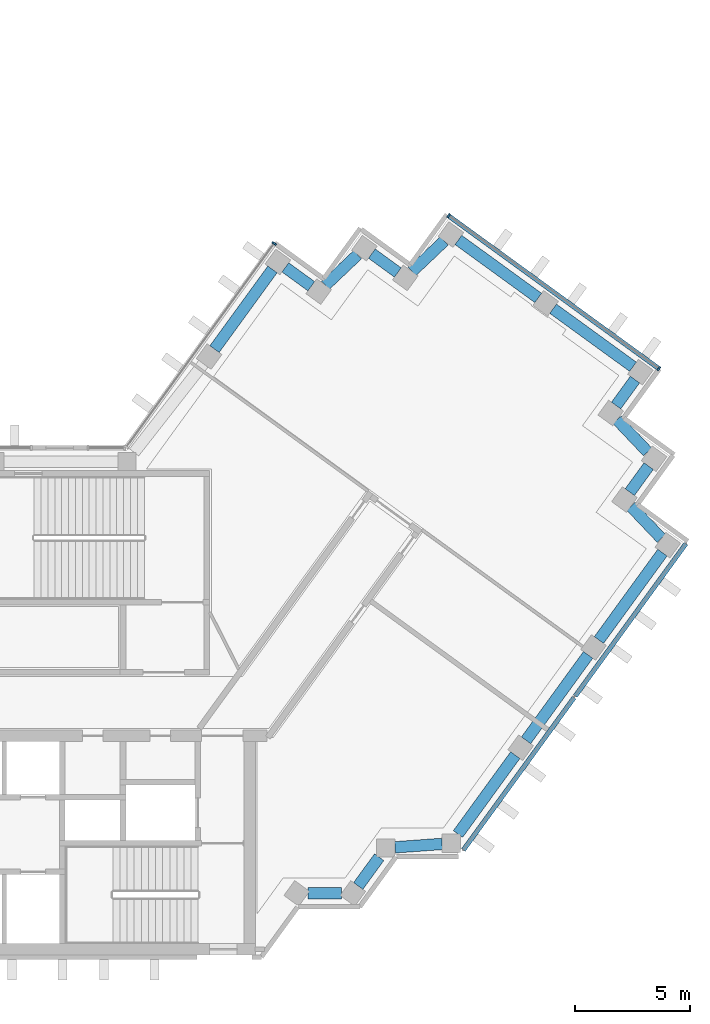
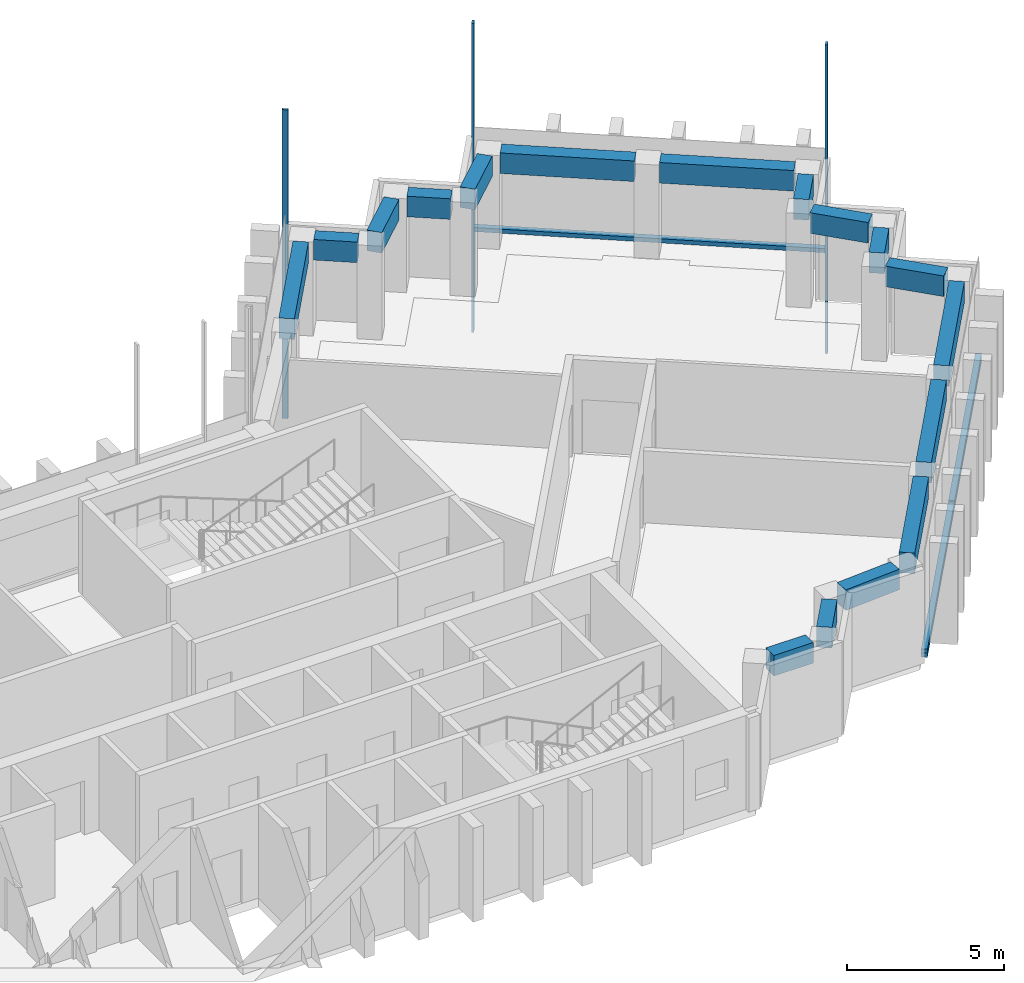
"""IFC4 building model written with IfcOpenShell, lengths in metres."""

from ifc_helpers import new_model, si_unit, direction, frame, origin, origin_2d, place, context, subcontext, project, spatial, rectangle, extrude, material, material_profile, profile_set, type_object, element, aggregate, save


model = new_model("IFC4")

# Units and contexts
model_context = context("Model", 3, precision=1e-05, world=origin(), true_north=direction((0.0, 1.0)))
body_context = subcontext(model_context, "Body", "Model", "MODEL_VIEW")
ifc_project = project(units=[si_unit("LENGTHUNIT", "METRE"), si_unit("AREAUNIT", "SQUARE_METRE"), si_unit("VOLUMEUNIT", "CUBIC_METRE"), si_unit("PLANEANGLEUNIT", "RADIAN"), si_unit("MASSUNIT", "GRAM", prefix="KILO")], contexts=[model_context])

# Site, building, storey
site_placement = place(None, origin())
site = spatial("IfcSite", under=ifc_project, at=site_placement, CompositionType="ELEMENT")
building_placement = place(site_placement, origin())
building = spatial("IfcBuilding", under=site, at=building_placement, Name="Quipu Civic Tower", CompositionType="ELEMENT")
storey_1_placement = place(building_placement, frame((0.0, 0.0, 234.0)))
storey_1 = spatial("IfcBuildingStorey", under=building, at=storey_1_placement, Name="L55", CompositionType="ELEMENT", Elevation=234.0)

# Curtain wall, members
ifc_material_1 = material(Name="Insulated glass unit", Category="glass")
curtain_wall_type = type_object("IfcCurtainWallType", Name="Office curtain wall CW1", PredefinedType="NOTDEFINED", material=ifc_material_1)
curtain_wall_1_placement = place(storey_1_placement, origin())
curtain_wall_1 = element("IfcCurtainWall", 1, at=curtain_wall_1_placement, inside=storey_1, type_object=curtain_wall_type, Name="Office curtain wall CW1 L54 run 21", PredefinedType="NOTDEFINED")
ifc_material_2 = material(Name="Anodised aluminium", Category="aluminium")
ifc_material_profile_1 = material_profile(ifc_material_2, rectangle(XDim=0.199951171875, YDim=0.080078125, at=origin_2d()), Name="RECT 200x80")
ifc_profile_set_1 = profile_set([ifc_material_profile_1], Name="Anodised aluminium")
member_type_1 = type_object("IfcMemberType", Name="Mullion CW1", PredefinedType="MULLION", material=ifc_profile_set_1)
member_1_placement = place(storey_1_placement, frame((37.569091796875, 14.552490234375, -3.919921875), z_axis=(0.0, 0.0, 1.0), x_axis=(-0.587787753918, -0.809015176832, 0.0)))
member_1 = element("IfcMember", 2, at=member_1_placement, type_object=member_type_1, Name="CW1 mullion 1", PredefinedType="MULLION", context=body_context, shape_type="SweptSolid", body=[
    extrude(rectangle(XDim=0.199951171875, YDim=0.080078125, at=origin_2d()), origin(), (0.0, 0.0, 1.0), 12.0),
])
member_2_placement = place(storey_1_placement, frame((28.4111328125, 21.206298828125, -3.919921875), z_axis=(0.0, 0.0, 1.0), x_axis=(-0.587787753918, -0.809015176832, 0.0)))
member_2 = element("IfcMember", 3, at=member_2_placement, type_object=member_type_1, Name="CW1 mullion 2", PredefinedType="MULLION", context=body_context, shape_type="SweptSolid", body=[
    extrude(rectangle(XDim=0.199951171875, YDim=0.080078125, at=origin_2d()), origin(), (0.0, 0.0, 1.0), 12.0),
])

# Curtain wall, member
curtain_wall_2_placement = place(storey_1_placement, origin())
curtain_wall_2 = element("IfcCurtainWall", 4, at=curtain_wall_2_placement, inside=storey_1, type_object=curtain_wall_type, Name="Office curtain wall CW1 L54 run 26", PredefinedType="NOTDEFINED")
member_3_placement = place(storey_1_placement, frame((20.8125, 20.002685546875, -3.919921875), z_axis=(0.0, 0.0, 1.0), x_axis=(0.809015163947, -0.587787771652, 0.0)))
member_3 = element("IfcMember", 5, at=member_3_placement, type_object=member_type_1, Name="CW1 mullion 1", PredefinedType="MULLION", context=body_context, shape_type="SweptSolid", body=[
    extrude(rectangle(XDim=0.199951171875, YDim=0.080078125, at=origin_2d()), origin(), (0.0, 0.0, 1.0), 12.0),
])
aggregate(curtain_wall_2, [member_3])

# Beams
ifc_material_3 = material(Name="Concrete C50/60", Category="concrete")
ifc_material_profile_2 = material_profile(ifc_material_3, rectangle(XDim=0.5, YDim=0.800048828125, at=origin_2d()), Name="RC500x800")
ifc_profile_set_2 = profile_set([ifc_material_profile_2], Name="Concrete C50/60")
beam_type = type_object("IfcBeamType", Name="Spandrel beam RC 500x800 C50/60", PredefinedType="SPANDREL", material=ifc_profile_set_2)
beam_1_placement = place(storey_1_placement, frame((22.2861328125, -8.31494140625, 3.25), z_axis=(1.0, 0.0, 0.0), x_axis=(0.0, 1.0, 0.0)))
element("IfcBeam", 6, at=beam_1_placement, inside=storey_1, type_object=beam_type, Name="Spandrel beam L55 J-Eo.1 to J-Eo.2", PredefinedType="SPANDREL", context=body_context, shape_type="SweptSolid", body=[
    extrude(rectangle(XDim=0.5, YDim=0.800048828125, at=origin_2d()), origin(), (0.0, 0.0, 1.0), 1.454345703125),
])
beam_2_placement = place(storey_1_placement, frame((24.470458984375, -7.991455078125, 3.25), z_axis=(0.588405601119, 0.808565920981, 0.0), x_axis=(-0.808565920981, 0.588405601119, 0.0)))
element("IfcBeam", 7, at=beam_2_placement, inside=storey_1, type_object=beam_type, Name="Spandrel beam L55 J-Eo.2 to J-Eo.3", PredefinedType="SPANDREL", context=body_context, shape_type="SweptSolid", body=[
    extrude(rectangle(XDim=0.5, YDim=0.800048828125, at=origin_2d()), origin(), (0.0, 0.0, 1.0), 1.55126953125),
])
beam_3_placement = place(storey_1_placement, frame((26.074462890625, -6.307861328125, 3.25), z_axis=(0.997372997143, 0.072436900614, 0.0), x_axis=(-0.072436900614, 0.997372997143, 0.0)))
element("IfcBeam", 8, at=beam_3_placement, inside=storey_1, type_object=beam_type, Name="Spandrel beam L55 J-Eo.3 to J-Eo.4", PredefinedType="SPANDREL", context=body_context, shape_type="SweptSolid", body=[
    extrude(rectangle(XDim=0.5, YDim=0.800048828125, at=origin_2d()), origin(), (0.0, 0.0, 1.0), 2.055908203125),
])
beam_4_placement = place(storey_1_placement, frame((28.815673828125, -5.72998046875, 3.25), z_axis=(0.58776850526, 0.809029161541, 0.0), x_axis=(-0.809029161541, 0.58776850526, 0.0)))
element("IfcBeam", 9, at=beam_4_placement, inside=storey_1, type_object=beam_type, Name="Spandrel beam L55 J-Eo.4 to E-OUT-01", PredefinedType="SPANDREL", context=body_context, shape_type="SweptSolid", body=[
    extrude(rectangle(XDim=0.5, YDim=0.800048828125, at=origin_2d()), origin(), (0.0, 0.0, 1.0), 4.249267578125),
])
beam_5_placement = place(storey_1_placement, frame((31.783447265625, -1.64501953125, 3.25), z_axis=(0.587796098864, 0.809009113768, 0.0), x_axis=(-0.809009113768, 0.587796098864, 0.0)))
element("IfcBeam", 10, at=beam_5_placement, inside=storey_1, type_object=beam_type, Name="Spandrel beam L55 E-OUT-01 to E-OUT-02", PredefinedType="SPANDREL", context=body_context, shape_type="SweptSolid", body=[
    extrude(rectangle(XDim=0.5, YDim=0.800048828125, at=origin_2d()), origin(), (0.0, 0.0, 1.0), 4.60009765625),
])
beam_6_placement = place(storey_1_placement, frame((34.95751953125, 2.7236328125, 3.25), z_axis=(0.587891029962, 0.808940131833, 0.0), x_axis=(-0.808940131833, 0.587891029962, 0.0)))
element("IfcBeam", 11, at=beam_6_placement, inside=storey_1, type_object=beam_type, Name="Spandrel beam L55 E-OUT-02 to T-Eo.0-E22", PredefinedType="SPANDREL", context=body_context, shape_type="SweptSolid", body=[
    extrude(rectangle(XDim=0.5, YDim=0.800048828125, at=origin_2d()), origin(), (0.0, 0.0, 1.0), 4.707275390625),
])
beam_7_placement = place(storey_1_placement, frame((37.6796875, 7.149658203125, 3.25), z_axis=(-0.689191109061, 0.724579612735, 0.0), x_axis=(-0.724579612735, -0.689191109061, 0.0)))
element("IfcBeam", 12, at=beam_7_placement, inside=storey_1, type_object=beam_type, Name="Spandrel beam L55 T-Eo.0-E22 to T-Eo.1-E22", PredefinedType="SPANDREL", context=body_context, shape_type="SweptSolid", body=[
    extrude(rectangle(XDim=0.5, YDim=0.800048828125, at=origin_2d()), origin(), (0.0, 0.0, 1.0), 1.931640625),
])
beam_8_placement = place(storey_1_placement, frame((36.302978515625, 9.16796875, 3.25), z_axis=(0.58725897397, 0.809399096547, 0.0), x_axis=(-0.809399096547, 0.58725897397, 0.0)))
element("IfcBeam", 13, at=beam_8_placement, inside=storey_1, type_object=beam_type, Name="Spandrel beam L55 T-Eo.1-E22 to T-Eo.2-E22", PredefinedType="SPANDREL", context=body_context, shape_type="SweptSolid", body=[
    extrude(rectangle(XDim=0.5, YDim=0.800048828125, at=origin_2d()), origin(), (0.0, 0.0, 1.0), 1.400146484375),
])
beam_9_placement = place(storey_1_placement, frame((37.080078125, 10.920166015625, 3.25), z_axis=(-0.688280901551, 0.725444278053, 0.0), x_axis=(-0.725444278053, -0.688280901551, 0.0)))
element("IfcBeam", 14, at=beam_9_placement, inside=storey_1, type_object=beam_type, Name="Spandrel beam L55 T-Eo.2-E22 to T-Eo.3-E22", PredefinedType="SPANDREL", context=body_context, shape_type="SweptSolid", body=[
    extrude(rectangle(XDim=0.5, YDim=0.800048828125, at=origin_2d()), origin(), (0.0, 0.0, 1.0), 1.931396484375),
])
beam_10_placement = place(storey_1_placement, frame((35.7060546875, 12.93994140625, 3.25), z_axis=(0.58841024035, 0.808562544922, 0.0), x_axis=(-0.808562544922, 0.58841024035, 0.0)))
element("IfcBeam", 15, at=beam_10_placement, inside=storey_1, type_object=beam_type, Name="Spandrel beam L55 T-Eo.3-E22 to T-Eo.4-E22", PredefinedType="SPANDREL", context=body_context, shape_type="SweptSolid", body=[
    extrude(rectangle(XDim=0.5, YDim=0.800048828125, at=origin_2d()), origin(), (0.0, 0.0, 1.0), 1.3994140625),
])
beam_11_placement = place(storey_1_placement, frame((36.44140625, 14.630126953125, 3.25), z_axis=(-0.809153076016, 0.587597906373, 0.0), x_axis=(-0.587597906373, -0.809153076016, 0.0)))
element("IfcBeam", 16, at=beam_11_placement, inside=storey_1, type_object=beam_type, Name="Spandrel beam L55 T-Eo.4-E22 to TIP-E-01-E22", PredefinedType="SPANDREL", context=body_context, shape_type="SweptSolid", body=[
    extrude(rectangle(XDim=0.5, YDim=0.800048828125, at=origin_2d()), origin(), (0.0, 0.0, 1.0), 4.302001953125),
])
beam_12_placement = place(storey_1_placement, frame((32.313232421875, 17.6279296875, 3.25), z_axis=(-0.80911644178, 0.587648350327, 0.0), x_axis=(-0.587648350327, -0.80911644178, 0.0)))
element("IfcBeam", 17, at=beam_12_placement, inside=storey_1, type_object=beam_type, Name="Spandrel beam L55 TIP-E-01-E22 to T-Ei.0-E22", PredefinedType="SPANDREL", context=body_context, shape_type="SweptSolid", body=[
    extrude(rectangle(XDim=0.5, YDim=0.800048828125, at=origin_2d()), origin(), (0.0, 0.0, 1.0), 4.30029296875),
])
beam_13_placement = place(storey_1_placement, frame((28.21484375, 20.10986328125, 3.25), z_axis=(-0.725384387405, -0.688344020464, 0.0), x_axis=(0.688344020464, -0.725384387405, 0.0)))
element("IfcBeam", 18, at=beam_13_placement, inside=storey_1, type_object=beam_type, Name="Spandrel beam L55 T-Ei.0-E22 to T-Ei.1-E22", PredefinedType="SPANDREL", context=body_context, shape_type="SweptSolid", body=[
    extrude(rectangle(XDim=0.5, YDim=0.800048828125, at=origin_2d()), origin(), (0.0, 0.0, 1.0), 1.93115234375),
])
beam_14_placement = place(storey_1_placement, frame((26.195556640625, 18.73583984375, 3.25), z_axis=(-0.808600329101, 0.588358315805, 0.0), x_axis=(-0.588358315805, -0.808600329101, 0.0)))
element("IfcBeam", 19, at=beam_14_placement, inside=storey_1, type_object=beam_type, Name="Spandrel beam L55 T-Ei.1-E22 to T-Ei.2-E22", PredefinedType="SPANDREL", context=body_context, shape_type="SweptSolid", body=[
    extrude(rectangle(XDim=0.5, YDim=0.800048828125, at=origin_2d()), origin(), (0.0, 0.0, 1.0), 1.400146484375),
])
beam_15_placement = place(storey_1_placement, frame((24.445068359375, 19.514892578125, 3.25), z_axis=(-0.72506883804, -0.688676397232, 0.0), x_axis=(0.688676397232, -0.72506883804, 0.0)))
element("IfcBeam", 20, at=beam_15_placement, inside=storey_1, type_object=beam_type, Name="Spandrel beam L55 T-Ei.2-E22 to T-Ei.3-E22", PredefinedType="SPANDREL", context=body_context, shape_type="SweptSolid", body=[
    extrude(rectangle(XDim=0.5, YDim=0.800048828125, at=origin_2d()), origin(), (0.0, 0.0, 1.0), 1.93212890625),
])
beam_16_placement = place(storey_1_placement, frame((22.425537109375, 18.13916015625, 3.25), z_axis=(-0.809452764948, 0.587184997524, 0.0), x_axis=(-0.587184997524, -0.809452764948, 0.0)))
element("IfcBeam", 21, at=beam_16_placement, inside=storey_1, type_object=beam_type, Name="Spandrel beam L55 T-Ei.3-E22 to T-Ei.4-E22", PredefinedType="SPANDREL", context=body_context, shape_type="SweptSolid", body=[
    extrude(rectangle(XDim=0.5, YDim=0.800048828125, at=origin_2d()), origin(), (0.0, 0.0, 1.0), 1.398193359375),
])
beam_17_placement = place(storey_1_placement, frame((20.734619140625, 18.87158203125, 3.25), z_axis=(-0.58812775221, -0.808768042816, 0.0), x_axis=(0.808768042816, -0.58812775221, 0.0)))
element("IfcBeam", 22, at=beam_17_placement, inside=storey_1, type_object=beam_type, Name="Spandrel beam L55 T-Ei.4-E22 to E-IN-01", PredefinedType="SPANDREL", context=body_context, shape_type="SweptSolid", body=[
    extrude(rectangle(XDim=0.5, YDim=0.800048828125, at=origin_2d()), origin(), (0.0, 0.0, 1.0), 4.29443359375),
])

# Storey
storey_2_placement = place(building_placement, frame((0.0, 0.0, 226.0)))
storey_2 = spatial("IfcBuildingStorey", under=building, at=storey_2_placement, Name="L53", CompositionType="ELEMENT", Elevation=226.0)

# Curtain wall, members
curtain_wall_3_placement = place(storey_2_placement, origin())
curtain_wall_3 = element("IfcCurtainWall", 23, at=curtain_wall_3_placement, inside=storey_2, type_object=curtain_wall_type, Name="Office curtain wall CW1 L52 run 4", PredefinedType="NOTDEFINED")
ifc_material_4 = material(Name="Anodised aluminium", Category="aluminium")
ifc_material_profile_3 = material_profile(ifc_material_4, rectangle(XDim=0.199951171875, YDim=0.159912109375, at=origin_2d()), Name="RECT 200x160")
ifc_profile_set_3 = profile_set([ifc_material_profile_3], Name="Anodised aluminium")
member_type_2 = type_object("IfcMemberType", Name="Transom CW1", PredefinedType="USERDEFINED", material=ifc_profile_set_3)
member_4_placement = place(storey_1_placement, frame((29.052978515625, -6.424072265625, 0.0), z_axis=(0.587780770372, 0.809020250662, 0.0), x_axis=(-0.809020250662, 0.587780770372, 0.0)))
member_4 = element("IfcMember", 24, at=member_4_placement, inside=storey_1, type_object=member_type_2, Name="CW1 transom 1.4", ObjectType="TRANSOM", PredefinedType="USERDEFINED", context=body_context, shape_type="SweptSolid", body=[
    extrude(rectangle(XDim=0.199951171875, YDim=0.159912109375, at=origin_2d()), origin(), (0.0, 0.0, 1.0), 8.2080078125),
])
member_5_placement = place(storey_1_placement, frame((33.924560546875, 0.281005859375, 0.0), z_axis=(0.587780770372, 0.809020250662, 0.0), x_axis=(-0.809020250662, 0.587780770372, 0.0)))
member_5 = element("IfcMember", 25, at=member_5_placement, inside=storey_1, type_object=member_type_2, Name="CW1 transom 2.4", ObjectType="TRANSOM", PredefinedType="USERDEFINED", context=body_context, shape_type="SweptSolid", body=[
    extrude(rectangle(XDim=0.199951171875, YDim=0.159912109375, at=origin_2d()), origin(), (0.0, 0.0, 1.0), 8.2080078125),
])
aggregate(curtain_wall_3, [member_4, member_5])

# Member
member_6_placement = place(storey_1_placement, frame((37.536865234375, 14.575927734375, 0.080078125), z_axis=(-0.809022463805, 0.587777724194, 0.0), x_axis=(-0.587777724194, -0.809022463805, 0.0)))
member_6 = element("IfcMember", 26, at=member_6_placement, type_object=member_type_2, Name="CW1 transom 1.2", ObjectType="TRANSOM", PredefinedType="USERDEFINED", context=body_context, shape_type="SweptSolid", body=[
    extrude(rectangle(XDim=0.199951171875, YDim=0.159912109375, at=origin_2d()), origin(), (0.0, 0.0, 1.0), 11.240234375),
])

aggregate(curtain_wall_1, [member_1, member_2, member_6])

# Storey
storey_3_placement = place(building_placement, frame((0.0, 0.0, 238.0)))
storey_3 = spatial("IfcBuildingStorey", under=building, at=storey_3_placement, Name="L56", CompositionType="ELEMENT", Elevation=238.0)

# Curtain wall, members
curtain_wall_4_placement = place(storey_3_placement, origin())
curtain_wall_4 = element("IfcCurtainWall", 27, at=curtain_wall_4_placement, inside=storey_3, type_object=curtain_wall_type, Name="Office curtain wall CW1 L55 run 4", PredefinedType="NOTDEFINED")
member_7_placement = place(storey_1_placement, frame((29.052978515625, -6.424072265625, 0.159912109375), z_axis=(0.587780770372, 0.809020250662, 0.0), x_axis=(-0.809020250662, 0.587780770372, 0.0)))
member_7 = element("IfcMember", 28, at=member_7_placement, inside=storey_1, type_object=member_type_2, Name="CW1 transom 1.1", ObjectType="TRANSOM", PredefinedType="USERDEFINED", context=body_context, shape_type="SweptSolid", body=[
    extrude(rectangle(XDim=0.199951171875, YDim=0.159912109375, at=origin_2d()), origin(), (0.0, 0.0, 1.0), 8.2080078125),
])
member_8_placement = place(storey_1_placement, frame((33.924560546875, 0.281005859375, 0.159912109375), z_axis=(0.587780770372, 0.809020250662, 0.0), x_axis=(-0.809020250662, 0.587780770372, 0.0)))
member_8 = element("IfcMember", 29, at=member_8_placement, inside=storey_1, type_object=member_type_2, Name="CW1 transom 2.1", ObjectType="TRANSOM", PredefinedType="USERDEFINED", context=body_context, shape_type="SweptSolid", body=[
    extrude(rectangle(XDim=0.199951171875, YDim=0.159912109375, at=origin_2d()), origin(), (0.0, 0.0, 1.0), 8.2080078125),
])
aggregate(curtain_wall_4, [member_7, member_8])

save(model, "model.ifc")
